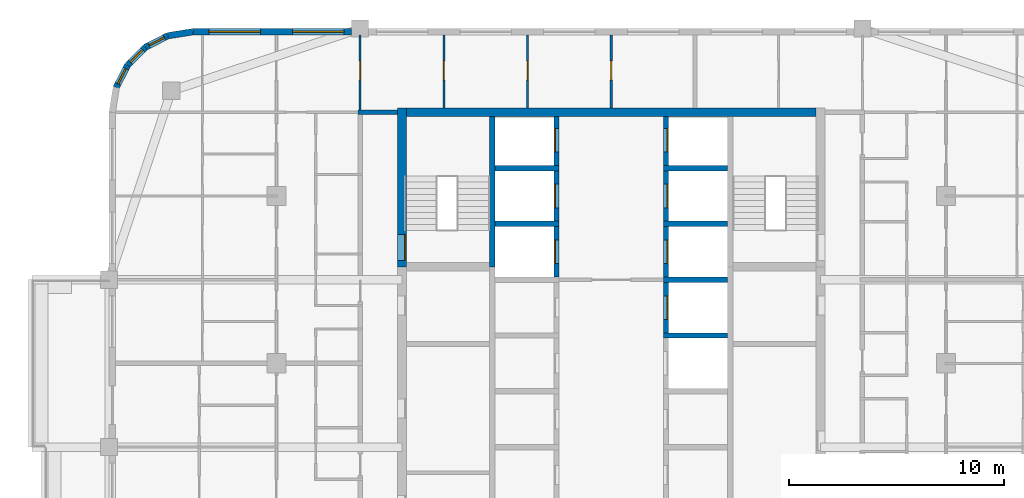
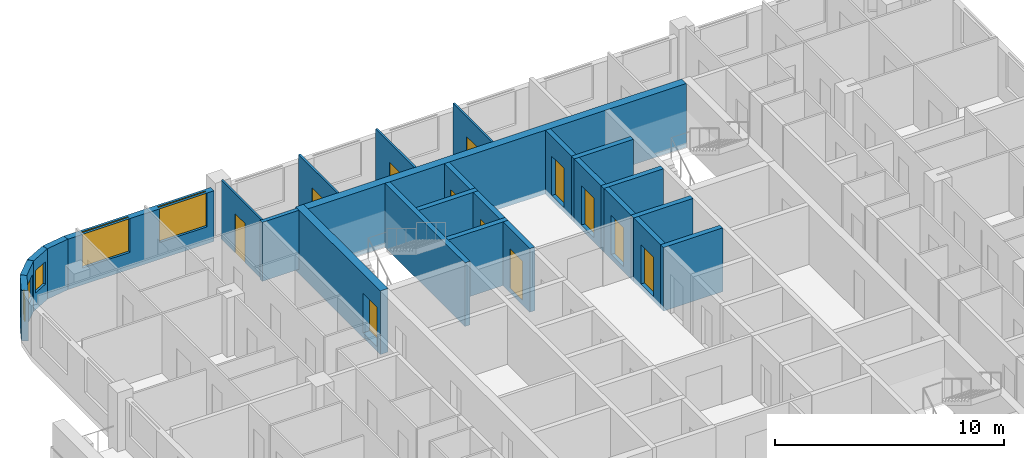
# One storey, part 10 of 16: 26 walls, 12 doors, 5 windows, 17 openings.
"""IFC4 building model written with IfcOpenShell, lengths in metres."""

from ifc_helpers import new_model, si_unit, direction, frame, frame_2d, origin, place, context, subcontext, project, spatial, rectangle, extrude, material, layer, layer_set, type_object, element, fill, save


model = new_model("IFC4")

# Units and contexts
model_context = context("Model", 3, precision=1e-05, world=origin(), true_north=direction((0.0, 1.0)))
body_context = subcontext(model_context, "Body", "Model", "MODEL_VIEW")
ifc_project = project(units=[si_unit("LENGTHUNIT", "METRE"), si_unit("AREAUNIT", "SQUARE_METRE"), si_unit("VOLUMEUNIT", "CUBIC_METRE"), si_unit("PLANEANGLEUNIT", "RADIAN"), si_unit("MASSUNIT", "GRAM", prefix="KILO")], contexts=[model_context])

# Site, building, storey
site_placement = place(None, origin())
site = spatial("IfcSite", under=ifc_project, at=site_placement, CompositionType="ELEMENT")
building_placement = place(site_placement, origin())
building = spatial("IfcBuilding", under=site, at=building_placement, Name="Ludao Terraces", CompositionType="ELEMENT")
storey_placement = place(building_placement, frame((0.0, 0.0, 224.5)))
storey = spatial("IfcBuildingStorey", under=building, at=storey_placement, Name="L61", CompositionType="ELEMENT", Elevation=224.5)

# Wall, opening, door
ifc_material_1 = material(Name="Concrete C50", Category="concrete")
ifc_layer_1 = layer(ifc_material_1, 0.39990234375)
ifc_layer_set_1 = layer_set([ifc_layer_1], Name="Core wall 400 C50")
wall_type_1 = type_object("IfcWallType", Name="Core wall 400 C50", PredefinedType="SOLIDWALL", material=ifc_layer_set_1)
wall_1_placement = place(storey_placement, frame((75.25, 77.300048828125, -0.25), z_axis=(0.0, 0.0, 1.0), x_axis=(0.0, 1.0, 0.0)))
wall_1 = element("IfcWall", 1, at=wall_1_placement, inside=storey, type_object=wall_type_1, Name="Core wall L61 outer-W-S1", PredefinedType="SOLIDWALL", context=body_context, shape_type="SweptSolid", body=[
    extrude(rectangle(XDim=7.39990234375, YDim=0.39990234375, at=frame_2d((3.699951171875, 0.0))), origin(), (0.0, 0.0, 1.0), 3.39990234375),
])
opening_1_placement = place(wall_1_placement, frame((0.300048828125, 0.0, 0.25)))
opening_1 = element("IfcOpeningElement", 2, at=opening_1_placement, cuts=wall_1, Name="Opening R22-109", PredefinedType="OPENING", context=body_context, shape_type="SweptSolid", body=[
    extrude(rectangle(XDim=1.199951171875, YDim=2.10009765625, at=frame_2d((0.60009765625, 1.050048828125))), frame((0.0, 0.2099609375, 0.0), z_axis=(0.0, -1.0, 0.0), x_axis=(1.0, 0.0, 0.0)), (0.0, 0.0, 1.0), 0.419921875),
])
ifc_material_2 = material(Name="Steel Q235", Category="steel")
door_type_1 = type_object("IfcDoorType", Name="INT Stair door 1200", OperationType="DOUBLE_DOOR_SINGLE_SWING", PredefinedType="DOOR", material=ifc_material_2)
door_1_placement = place(opening_1_placement, origin())
door_1 = element("IfcDoor", 3, at=door_1_placement, inside=storey, type_object=door_type_1, Name="DOOR 109", OperationType="DOUBLE_DOOR_SINGLE_SWING", OverallHeight=2.10009765625, OverallWidth=1.199951171875, PredefinedType="DOOR", context=body_context, shape_type="SweptSolid", body=[
    extrude(rectangle(XDim=1.199951171875, YDim=2.10009765625, at=frame_2d((0.60009765625, 1.050048828125))), frame((0.0, -0.134765625, 0.0), z_axis=(0.0, -1.0, 0.0), x_axis=(1.0, 0.0, 0.0)), (0.0, 0.0, 1.0), 0.050048828125),
])
fill(opening_1, door_1)

# Wall
wall_2_placement = place(storey_placement, frame((75.449951171875, 84.5, -0.25), z_axis=(0.0, 0.0, 1.0), x_axis=(1.0, 0.0, 0.0)))
element("IfcWall", 4, at=wall_2_placement, inside=storey, type_object=wall_type_1, Name="Core wall L61 outer-N", PredefinedType="SOLIDWALL", context=body_context, shape_type="SweptSolid", body=[
    extrude(rectangle(XDim=19.10009765625, YDim=0.39990234375, at=frame_2d((9.550048828125, 0.0))), origin(), (0.0, 0.0, 1.0), 3.39990234375),
])

# Wall, openings, windows
ifc_material_3 = material(Name="Granite cladding", Category="masonry")
ifc_layer_2 = layer(ifc_material_3, 0.0400390625, Category="stone")
ifc_material_4 = material(Name="Mineral wool")
ifc_layer_3 = layer(ifc_material_4, 0.06005859375)
ifc_material_5 = material(Name="Concrete C40", Category="concrete")
ifc_layer_4 = layer(ifc_material_5, 0.199951171875, Category="concrete")
ifc_layer_set_2 = layer_set([ifc_layer_2, ifc_layer_3, ifc_layer_4], Name="ENV Stone-clad wall 300")
wall_type_2 = type_object("IfcWallType", Name="ENV Stone-clad wall 300", PredefinedType="SOLIDWALL", material=ifc_layer_set_2)
wall_3_placement = place(storey_placement, frame((65.5, 88.25, 0.0), z_axis=(0.0, 0.0, 1.0), x_axis=(1.0, 0.0, 0.0)))
wall_3 = element("IfcWall", 5, at=wall_3_placement, inside=storey, type_object=wall_type_2, Name="EW-L61-N1", PredefinedType="SOLIDWALL", context=body_context, shape_type="SweptSolid", body=[
    extrude(rectangle(XDim=7.39990234375, YDim=0.300048828125, at=frame_2d((3.699951171875, 0.0))), origin(), (0.0, 0.0, 1.0), 2.699951171875),
])
opening_2_placement = place(wall_3_placement, frame((0.75, 0.0, 0.89990234375)))
opening_2 = element("IfcOpeningElement", 6, at=opening_2_placement, cuts=wall_3, Name="Opening W1", PredefinedType="OPENING", context=body_context, shape_type="SweptSolid", body=[
    extrude(rectangle(XDim=2.39990234375, YDim=1.800048828125, at=frame_2d((1.199951171875, 0.89990234375))), frame((0.0, 0.16015625, 0.0), z_axis=(0.0, -1.0, 0.0), x_axis=(1.0, 0.0, 0.0)), (0.0, 0.0, 1.0), 0.320068359375),
])
opening_3_placement = place(wall_3_placement, frame((4.64990234375, 0.0, 0.89990234375)))
opening_3 = element("IfcOpeningElement", 7, at=opening_3_placement, cuts=wall_3, Name="Opening W1", PredefinedType="OPENING", context=body_context, shape_type="SweptSolid", body=[
    extrude(rectangle(XDim=2.39990234375, YDim=1.800048828125, at=frame_2d((1.199951171875, 0.89990234375))), frame((0.0, 0.16015625, 0.0), z_axis=(0.0, -1.0, 0.0), x_axis=(1.0, 0.0, 0.0)), (0.0, 0.0, 1.0), 0.320068359375),
])
ifc_material_6 = material(Name="Clear glass in aluminium frame", Category="aluminium")
ifc_layer_5 = layer(ifc_material_6, 0.06005859375)
ifc_layer_set_3 = layer_set([ifc_layer_5], Name="ENV Window W1 2400x1800")
window_type_1 = type_object("IfcWindowType", Name="ENV Window W1 2400x1800", PartitioningType="DOUBLE_PANEL_VERTICAL", PredefinedType="WINDOW", material=ifc_layer_set_3)
window_1_placement = place(opening_2_placement, origin())
window_1 = element("IfcWindow", 8, at=window_1_placement, inside=storey, type_object=window_type_1, Name="W-L61-N1-1", OverallHeight=1.800048828125, OverallWidth=2.39990234375, PartitioningType="DOUBLE_PANEL_VERTICAL", PredefinedType="WINDOW", context=body_context, shape_type="SweptSolid", body=[
    extrude(rectangle(XDim=2.39990234375, YDim=1.800048828125, at=frame_2d((1.199951171875, 0.89990234375))), frame((0.0, 0.030029296875, 0.0), z_axis=(0.0, -1.0, 0.0), x_axis=(1.0, 0.0, 0.0)), (0.0, 0.0, 1.0), 0.06005859375),
])
fill(opening_2, window_1)
window_2_placement = place(opening_3_placement, origin())
window_2 = element("IfcWindow", 9, at=window_2_placement, inside=storey, type_object=window_type_1, Name="W-L61-N1-2", OverallHeight=1.800048828125, OverallWidth=2.39990234375, PartitioningType="DOUBLE_PANEL_VERTICAL", PredefinedType="WINDOW", context=body_context, shape_type="SweptSolid", body=[
    extrude(rectangle(XDim=2.39990234375, YDim=1.800048828125, at=frame_2d((1.199951171875, 0.89990234375))), frame((0.0, 0.030029296875, 0.0), z_axis=(0.0, -1.0, 0.0), x_axis=(1.0, 0.0, 0.0)), (0.0, 0.0, 1.0), 0.06005859375),
])
fill(opening_3, window_2)

# Wall
wall_4_placement = place(storey_placement, frame((65.5, 88.25, 0.0), z_axis=(0.0, 0.0, 1.0), x_axis=(-0.987678452879, -0.156496880861, 0.0)))
element("IfcWall", 10, at=wall_4_placement, inside=storey, type_object=wall_type_2, Name="EW-L61-NW1", PredefinedType="SOLIDWALL", context=body_context, shape_type="SweptSolid", body=[
    extrude(rectangle(XDim=1.173095703125, YDim=0.300048828125, at=frame_2d((0.58642578125, 0.0))), origin(), (0.0, 0.0, 1.0), 2.699951171875),
])

# Wall, opening, window
wall_5_placement = place(storey_placement, frame((64.34130859375, 88.06640625, 0.0), z_axis=(0.0, 0.0, 1.0), x_axis=(-0.890988677504, -0.454025524128, 0.0)))
wall_5 = element("IfcWall", 11, at=wall_5_placement, inside=storey, type_object=wall_type_2, Name="EW-L61-NW2", PredefinedType="SOLIDWALL", context=body_context, shape_type="SweptSolid", body=[
    extrude(rectangle(XDim=1.17333984375, YDim=0.300048828125, at=frame_2d((0.586669921875, 0.0))), origin(), (0.0, 0.0, 1.0), 2.699951171875),
])
opening_4_placement = place(wall_5_placement, frame((0.1865234375, 0.0, 0.89990234375)))
opening_4 = element("IfcOpeningElement", 12, at=opening_4_placement, cuts=wall_5, Name="Opening W3", PredefinedType="OPENING", context=body_context, shape_type="SweptSolid", body=[
    extrude(rectangle(XDim=0.800048828125, YDim=1.199951171875, at=frame_2d((0.39990234375, 0.60009765625))), frame((0.0, 0.16015625, 0.0), z_axis=(0.0, -1.0, 0.0), x_axis=(1.0, 0.0, 0.0)), (0.0, 0.0, 1.0), 0.320068359375),
])
ifc_layer_6 = layer(ifc_material_6, 0.06005859375)
ifc_layer_set_4 = layer_set([ifc_layer_6], Name="ENV Window W3 800x1200")
window_type_2 = type_object("IfcWindowType", Name="ENV Window W3 800x1200", PartitioningType="SINGLE_PANEL", PredefinedType="WINDOW", material=ifc_layer_set_4)
window_3_placement = place(opening_4_placement, origin())
window_3 = element("IfcWindow", 13, at=window_3_placement, inside=storey, type_object=window_type_2, Name="W-L61-NW2", OverallHeight=1.199951171875, OverallWidth=0.800048828125, PartitioningType="SINGLE_PANEL", PredefinedType="WINDOW", context=body_context, shape_type="SweptSolid", body=[
    extrude(rectangle(XDim=0.800048828125, YDim=1.199951171875, at=frame_2d((0.39990234375, 0.60009765625))), frame((0.0, 0.030029296875, 0.0), z_axis=(0.0, -1.0, 0.0), x_axis=(1.0, 0.0, 0.0)), (0.0, 0.0, 1.0), 0.06005859375),
])
fill(opening_4, window_3)

wall_6_placement = place(storey_placement, frame((63.2958984375, 87.53369140625, 0.0), z_axis=(0.0, 0.0, 1.0), x_axis=(-0.707106781187, -0.707106781187, 0.0)))
wall_6 = element("IfcWall", 14, at=wall_6_placement, inside=storey, type_object=wall_type_2, Name="EW-L61-NW3", PredefinedType="SOLIDWALL", context=body_context, shape_type="SweptSolid", body=[
    extrude(rectangle(XDim=1.173095703125, YDim=0.300048828125, at=frame_2d((0.58642578125, 0.0))), origin(), (0.0, 0.0, 1.0), 2.699951171875),
])
opening_5_placement = place(wall_6_placement, frame((0.1865234375, 0.0, 0.89990234375)))
opening_5 = element("IfcOpeningElement", 15, at=opening_5_placement, cuts=wall_6, Name="Opening W3", PredefinedType="OPENING", context=body_context, shape_type="SweptSolid", body=[
    extrude(rectangle(XDim=0.800048828125, YDim=1.199951171875, at=frame_2d((0.39990234375, 0.60009765625))), frame((0.0, 0.16015625, 0.0), z_axis=(0.0, -1.0, 0.0), x_axis=(1.0, 0.0, 0.0)), (0.0, 0.0, 1.0), 0.320068359375),
])
window_4_placement = place(opening_5_placement, origin())
window_4 = element("IfcWindow", 16, at=window_4_placement, inside=storey, type_object=window_type_2, Name="W-L61-NW3", OverallHeight=1.199951171875, OverallWidth=0.800048828125, PartitioningType="SINGLE_PANEL", PredefinedType="WINDOW", context=body_context, shape_type="SweptSolid", body=[
    extrude(rectangle(XDim=0.800048828125, YDim=1.199951171875, at=frame_2d((0.39990234375, 0.60009765625))), frame((0.0, 0.030029296875, 0.0), z_axis=(0.0, -1.0, 0.0), x_axis=(1.0, 0.0, 0.0)), (0.0, 0.0, 1.0), 0.06005859375),
])
fill(opening_5, window_4)

wall_7_placement = place(storey_placement, frame((62.46630859375, 86.7041015625, 0.0), z_axis=(0.0, 0.0, 1.0), x_axis=(-0.454025524128, -0.890988677504, 0.0)))
wall_7 = element("IfcWall", 17, at=wall_7_placement, inside=storey, type_object=wall_type_2, Name="EW-L61-NW4", PredefinedType="SOLIDWALL", context=body_context, shape_type="SweptSolid", body=[
    extrude(rectangle(XDim=1.17333984375, YDim=0.300048828125, at=frame_2d((0.586669921875, 0.0))), origin(), (0.0, 0.0, 1.0), 2.699951171875),
])
opening_6_placement = place(wall_7_placement, frame((0.1865234375, 0.0, 0.89990234375)))
opening_6 = element("IfcOpeningElement", 18, at=opening_6_placement, cuts=wall_7, Name="Opening W3", PredefinedType="OPENING", context=body_context, shape_type="SweptSolid", body=[
    extrude(rectangle(XDim=0.800048828125, YDim=1.199951171875, at=frame_2d((0.39990234375, 0.60009765625))), frame((0.0, 0.16015625, 0.0), z_axis=(0.0, -1.0, 0.0), x_axis=(1.0, 0.0, 0.0)), (0.0, 0.0, 1.0), 0.320068359375),
])
window_5_placement = place(opening_6_placement, origin())
window_5 = element("IfcWindow", 19, at=window_5_placement, inside=storey, type_object=window_type_2, Name="W-L61-NW4", OverallHeight=1.199951171875, OverallWidth=0.800048828125, PartitioningType="SINGLE_PANEL", PredefinedType="WINDOW", context=body_context, shape_type="SweptSolid", body=[
    extrude(rectangle(XDim=0.800048828125, YDim=1.199951171875, at=frame_2d((0.39990234375, 0.60009765625))), frame((0.0, 0.030029296875, 0.0), z_axis=(0.0, -1.0, 0.0), x_axis=(1.0, 0.0, 0.0)), (0.0, 0.0, 1.0), 0.06005859375),
])
fill(opening_6, window_5)

# Wall
ifc_material_7 = material(Name="Autoclaved aerated concrete block B06 A3.5", Category="concrete")
ifc_layer_7 = layer(ifc_material_7, 0.199951171875)
ifc_layer_set_5 = layer_set([ifc_layer_7], Name="INT Entrance wall 200")
wall_type_3 = type_object("IfcWallType", Name="INT Entrance wall 200", PredefinedType="PARTITIONING", material=ifc_layer_set_5)
wall_8_placement = place(storey_placement, frame((73.2001953125, 84.5, 0.0), z_axis=(0.0, 0.0, 1.0), x_axis=(1.0, 0.0, 0.0)))
element("IfcWall", 20, at=wall_8_placement, inside=storey, type_object=wall_type_3, Name="PW-L61-PW066", PredefinedType="PARTITIONING", context=body_context, shape_type="SweptSolid", body=[
    extrude(rectangle(XDim=1.849853515625, YDim=0.199951171875, at=frame_2d((0.9248046875, 0.0))), origin(), (0.0, 0.0, 1.0), 3.14990234375),
])

# Wall, opening, door
ifc_material_8 = material(Name="Gypsum plasterboard", Category="gypsum")
ifc_layer_8 = layer(ifc_material_8, 0.012451171875, Category="gypsum")
ifc_layer_9 = layer(ifc_material_4, 0.06005859375, Name="insulation")
ifc_layer_10 = layer(ifc_material_2, 0.014892578125, Name="stud")
ifc_layer_11 = layer(ifc_material_8, 0.012451171875, Category="gypsum")
ifc_layer_set_6 = layer_set([ifc_layer_8, ifc_layer_9, ifc_layer_10, ifc_layer_11], Name="INT Partition 100")
wall_type_4 = type_object("IfcWallType", Name="INT Partition 100", PredefinedType="PARTITIONING", material=ifc_layer_set_6)
wall_9_placement = place(storey_placement, frame((73.300048828125, 84.60009765625, 0.0), z_axis=(0.0, 0.0, 1.0), x_axis=(0.0, 1.0, 0.0)))
wall_9 = element("IfcWall", 21, at=wall_9_placement, inside=storey, type_object=wall_type_4, Name="PW-L61-PW079", PredefinedType="PARTITIONING", context=body_context, shape_type="SweptSolid", body=[
    extrude(rectangle(XDim=3.5, YDim=0.10009765625, at=frame_2d((1.75, 0.0))), origin(), (0.0, 0.0, 1.0), 3.14990234375),
])
opening_7_placement = place(wall_9_placement, frame((1.39990234375, 0.0, 0.0)))
opening_7 = element("IfcOpeningElement", 22, at=opening_7_placement, cuts=wall_9, Name="Opening R22-133", PredefinedType="OPENING", context=body_context, shape_type="SweptSolid", body=[
    extrude(rectangle(XDim=0.89990234375, YDim=2.10009765625, at=frame_2d((0.449951171875, 1.050048828125))), frame((0.0, 0.06005859375, 0.0), z_axis=(0.0, -1.0, 0.0), x_axis=(1.0, 0.0, 0.0)), (0.0, 0.0, 1.0), 0.1201171875),
])
ifc_material_9 = material(Name="Timber door leaf", Category="wood")
door_type_2 = type_object("IfcDoorType", Name="INT Room door 900", OperationType="SINGLE_SWING_LEFT", PredefinedType="DOOR", material=ifc_material_9)
door_2_placement = place(opening_7_placement, origin())
door_2 = element("IfcDoor", 23, at=door_2_placement, inside=storey, type_object=door_type_2, Name="DOOR 133", OperationType="SINGLE_SWING_LEFT", OverallHeight=2.10009765625, OverallWidth=0.89990234375, PredefinedType="DOOR", context=body_context, shape_type="SweptSolid", body=[
    extrude(rectangle(XDim=0.89990234375, YDim=2.10009765625, at=frame_2d((0.449951171875, 1.050048828125))), frame((0.0, 0.02490234375, 0.0), z_axis=(0.0, -1.0, 0.0), x_axis=(1.0, 0.0, 0.0)), (0.0, 0.0, 1.0), 0.050048828125),
])
fill(opening_7, door_2)

wall_10_placement = place(storey_placement, frame((77.199951171875, 84.7001953125, 0.0), z_axis=(0.0, 0.0, 1.0), x_axis=(0.0, 1.0, 0.0)))
wall_10 = element("IfcWall", 24, at=wall_10_placement, inside=storey, type_object=wall_type_4, Name="PW-L61-PW080", PredefinedType="PARTITIONING", context=body_context, shape_type="SweptSolid", body=[
    extrude(rectangle(XDim=3.39990234375, YDim=0.10009765625, at=frame_2d((1.699951171875, 0.0))), origin(), (0.0, 0.0, 1.0), 3.14990234375),
])
opening_8_placement = place(wall_10_placement, frame((1.2998046875, 0.0, 0.0)))
opening_8 = element("IfcOpeningElement", 25, at=opening_8_placement, cuts=wall_10, Name="Opening R22-134", PredefinedType="OPENING", context=body_context, shape_type="SweptSolid", body=[
    extrude(rectangle(XDim=0.89990234375, YDim=2.10009765625, at=frame_2d((0.449951171875, 1.050048828125))), frame((0.0, 0.06005859375, 0.0), z_axis=(0.0, -1.0, 0.0), x_axis=(1.0, 0.0, 0.0)), (0.0, 0.0, 1.0), 0.1201171875),
])
door_3_placement = place(opening_8_placement, origin())
door_3 = element("IfcDoor", 26, at=door_3_placement, inside=storey, type_object=door_type_2, Name="DOOR 134", OperationType="SINGLE_SWING_LEFT", OverallHeight=2.10009765625, OverallWidth=0.89990234375, PredefinedType="DOOR", context=body_context, shape_type="SweptSolid", body=[
    extrude(rectangle(XDim=0.89990234375, YDim=2.10009765625, at=frame_2d((0.449951171875, 1.050048828125))), frame((0.0, 0.02490234375, 0.0), z_axis=(0.0, -1.0, 0.0), x_axis=(1.0, 0.0, 0.0)), (0.0, 0.0, 1.0), 0.050048828125),
])
fill(opening_8, door_3)

wall_11_placement = place(storey_placement, frame((81.10009765625, 84.7001953125, 0.0), z_axis=(0.0, 0.0, 1.0), x_axis=(0.0, 1.0, 0.0)))
wall_11 = element("IfcWall", 27, at=wall_11_placement, inside=storey, type_object=wall_type_4, Name="PW-L61-PW081", PredefinedType="PARTITIONING", context=body_context, shape_type="SweptSolid", body=[
    extrude(rectangle(XDim=3.39990234375, YDim=0.10009765625, at=frame_2d((1.699951171875, 0.0))), origin(), (0.0, 0.0, 1.0), 3.14990234375),
])
opening_9_placement = place(wall_11_placement, frame((1.2998046875, 0.0, 0.0)))
opening_9 = element("IfcOpeningElement", 28, at=opening_9_placement, cuts=wall_11, Name="Opening R22-135", PredefinedType="OPENING", context=body_context, shape_type="SweptSolid", body=[
    extrude(rectangle(XDim=0.89990234375, YDim=2.10009765625, at=frame_2d((0.449951171875, 1.050048828125))), frame((0.0, 0.06005859375, 0.0), z_axis=(0.0, -1.0, 0.0), x_axis=(1.0, 0.0, 0.0)), (0.0, 0.0, 1.0), 0.1201171875),
])
door_4_placement = place(opening_9_placement, origin())
door_4 = element("IfcDoor", 29, at=door_4_placement, inside=storey, type_object=door_type_2, Name="DOOR 135", OperationType="SINGLE_SWING_RIGHT", OverallHeight=2.10009765625, OverallWidth=0.89990234375, PredefinedType="DOOR", context=body_context, shape_type="SweptSolid", body=[
    extrude(rectangle(XDim=0.89990234375, YDim=2.10009765625, at=frame_2d((0.449951171875, 1.050048828125))), frame((0.0, 0.02490234375, 0.0), z_axis=(0.0, -1.0, 0.0), x_axis=(1.0, 0.0, 0.0)), (0.0, 0.0, 1.0), 0.050048828125),
])
fill(opening_9, door_4)

wall_12_placement = place(storey_placement, frame((85.0, 84.7001953125, 0.0), z_axis=(0.0, 0.0, 1.0), x_axis=(0.0, 1.0, 0.0)))
wall_12 = element("IfcWall", 30, at=wall_12_placement, inside=storey, type_object=wall_type_4, Name="PW-L61-PW083", PredefinedType="PARTITIONING", context=body_context, shape_type="SweptSolid", body=[
    extrude(rectangle(XDim=3.39990234375, YDim=0.10009765625, at=frame_2d((1.699951171875, 0.0))), origin(), (0.0, 0.0, 1.0), 3.14990234375),
])
opening_10_placement = place(wall_12_placement, frame((1.2998046875, 0.0, 0.0)))
opening_10 = element("IfcOpeningElement", 31, at=opening_10_placement, cuts=wall_12, Name="Opening R22-136", PredefinedType="OPENING", context=body_context, shape_type="SweptSolid", body=[
    extrude(rectangle(XDim=0.89990234375, YDim=2.10009765625, at=frame_2d((0.449951171875, 1.050048828125))), frame((0.0, 0.06005859375, 0.0), z_axis=(0.0, -1.0, 0.0), x_axis=(1.0, 0.0, 0.0)), (0.0, 0.0, 1.0), 0.1201171875),
])
door_5_placement = place(opening_10_placement, origin())
door_5 = element("IfcDoor", 32, at=door_5_placement, inside=storey, type_object=door_type_2, Name="DOOR 136", OperationType="SINGLE_SWING_LEFT", OverallHeight=2.10009765625, OverallWidth=0.89990234375, PredefinedType="DOOR", context=body_context, shape_type="SweptSolid", body=[
    extrude(rectangle(XDim=0.89990234375, YDim=2.10009765625, at=frame_2d((0.449951171875, 1.050048828125))), frame((0.0, 0.02490234375, 0.0), z_axis=(0.0, -1.0, 0.0), x_axis=(1.0, 0.0, 0.0)), (0.0, 0.0, 1.0), 0.050048828125),
])
fill(opening_10, door_5)

# Wall
ifc_layer_12 = layer(ifc_material_1, 0.25)
ifc_layer_set_7 = layer_set([ifc_layer_12], Name="Shaft wall 250 C50")
wall_type_5 = type_object("IfcWallType", Name="Shaft wall 250 C50", PredefinedType="SOLIDWALL", material=ifc_layer_set_7)
wall_13_placement = place(storey_placement, frame((79.449951171875, 77.300048828125, -0.25), z_axis=(0.0, 0.0, 1.0), x_axis=(0.0, 1.0, 0.0)))
element("IfcWall", 33, at=wall_13_placement, inside=storey, type_object=wall_type_5, Name="Core wall L61 back-W-S1", PredefinedType="SOLIDWALL", context=body_context, shape_type="SweptSolid", body=[
    extrude(rectangle(XDim=7.0, YDim=0.25, at=frame_2d((3.5, 0.0))), origin(), (0.0, 0.0, 1.0), 3.39990234375),
])

# Wall, opening, door
wall_14_placement = place(storey_placement, frame((82.449951171875, 76.824951171875, -0.25), z_axis=(0.0, 0.0, 1.0), x_axis=(0.0, 1.0, 0.0)))
wall_14 = element("IfcWall", 34, at=wall_14_placement, inside=storey, type_object=wall_type_5, Name="Core wall L61 front-W7", PredefinedType="SOLIDWALL", context=body_context, shape_type="SweptSolid", body=[
    extrude(rectangle(XDim=2.35009765625, YDim=0.25, at=frame_2d((1.175048828125, 0.0))), origin(), (0.0, 0.0, 1.0), 3.39990234375),
])
opening_11_placement = place(wall_14_placement, frame((0.625, 0.0, 0.25)))
opening_11 = element("IfcOpeningElement", 35, at=opening_11_placement, cuts=wall_14, Name="Opening LD-FF1", PredefinedType="OPENING", context=body_context, shape_type="SweptSolid", body=[
    extrude(rectangle(XDim=1.10009765625, YDim=2.10009765625, at=frame_2d((0.550048828125, 1.050048828125))), frame((0.0, 0.135009765625, 0.0), z_axis=(0.0, -1.0, 0.0), x_axis=(1.0, 0.0, 0.0)), (0.0, 0.0, 1.0), 0.27001953125),
])
ifc_material_10 = material(Name="Stainless steel 304", Category="steel")
door_type_3 = type_object("IfcDoorType", Name="INT Lift landing door 1100", OperationType="SLIDING_TO_LEFT", PredefinedType="DOOR", material=ifc_material_10)
door_6_placement = place(opening_11_placement, origin())
door_6 = element("IfcDoor", 36, at=door_6_placement, inside=storey, type_object=door_type_3, Name="LANDING DOOR FF1 L61", OperationType="SLIDING_TO_LEFT", OverallHeight=2.10009765625, OverallWidth=1.10009765625, PredefinedType="DOOR", context=body_context, shape_type="SweptSolid", body=[
    extrude(rectangle(XDim=1.10009765625, YDim=2.10009765625, at=frame_2d((0.550048828125, 1.050048828125))), frame((0.0, 0.10986328125, 0.0), z_axis=(0.0, -1.0, 0.0), x_axis=(1.0, 0.0, 0.0)), (0.0, 0.0, 1.0), 0.050048828125),
])
fill(opening_11, door_6)

# Wall
wall_15_placement = place(storey_placement, frame((79.574951171875, 79.300048828125, -0.25), z_axis=(0.0, 0.0, 1.0), x_axis=(1.0, 0.0, 0.0)))
element("IfcWall", 37, at=wall_15_placement, inside=storey, type_object=wall_type_5, Name="Core wall L61 div-W8", PredefinedType="SOLIDWALL", context=body_context, shape_type="SweptSolid", body=[
    extrude(rectangle(XDim=3.0, YDim=0.25, at=frame_2d((1.5, 0.0))), origin(), (0.0, 0.0, 1.0), 3.39990234375),
])

# Wall, opening, door
wall_16_placement = place(storey_placement, frame((82.449951171875, 79.425048828125, -0.25), z_axis=(0.0, 0.0, 1.0), x_axis=(0.0, 1.0, 0.0)))
wall_16 = element("IfcWall", 38, at=wall_16_placement, inside=storey, type_object=wall_type_5, Name="Core wall L61 front-W8", PredefinedType="SOLIDWALL", context=body_context, shape_type="SweptSolid", body=[
    extrude(rectangle(XDim=2.349853515625, YDim=0.25, at=frame_2d((1.1748046875, 0.0))), origin(), (0.0, 0.0, 1.0), 3.39990234375),
])
opening_12_placement = place(wall_16_placement, frame((0.625, 0.0, 0.25)))
opening_12 = element("IfcOpeningElement", 39, at=opening_12_placement, cuts=wall_16, Name="Opening LD-FF2", PredefinedType="OPENING", context=body_context, shape_type="SweptSolid", body=[
    extrude(rectangle(XDim=1.10009765625, YDim=2.10009765625, at=frame_2d((0.550048828125, 1.050048828125))), frame((0.0, 0.135009765625, 0.0), z_axis=(0.0, -1.0, 0.0), x_axis=(1.0, 0.0, 0.0)), (0.0, 0.0, 1.0), 0.27001953125),
])
door_7_placement = place(opening_12_placement, origin())
door_7 = element("IfcDoor", 40, at=door_7_placement, inside=storey, type_object=door_type_3, Name="LANDING DOOR FF2 L61", OperationType="SLIDING_TO_LEFT", OverallHeight=2.10009765625, OverallWidth=1.10009765625, PredefinedType="DOOR", context=body_context, shape_type="SweptSolid", body=[
    extrude(rectangle(XDim=1.10009765625, YDim=2.10009765625, at=frame_2d((0.550048828125, 1.050048828125))), frame((0.0, 0.10986328125, 0.0), z_axis=(0.0, -1.0, 0.0), x_axis=(1.0, 0.0, 0.0)), (0.0, 0.0, 1.0), 0.050048828125),
])
fill(opening_12, door_7)

# Wall
wall_17_placement = place(storey_placement, frame((79.574951171875, 81.89990234375, -0.25), z_axis=(0.0, 0.0, 1.0), x_axis=(1.0, 0.0, 0.0)))
element("IfcWall", 41, at=wall_17_placement, inside=storey, type_object=wall_type_5, Name="Core wall L61 div-W9", PredefinedType="SOLIDWALL", context=body_context, shape_type="SweptSolid", body=[
    extrude(rectangle(XDim=3.0, YDim=0.25, at=frame_2d((1.5, 0.0))), origin(), (0.0, 0.0, 1.0), 3.39990234375),
])

# Wall, opening, door
wall_18_placement = place(storey_placement, frame((82.449951171875, 82.02490234375, -0.25), z_axis=(0.0, 0.0, 1.0), x_axis=(0.0, 1.0, 0.0)))
wall_18 = element("IfcWall", 42, at=wall_18_placement, inside=storey, type_object=wall_type_5, Name="Core wall L61 front-W9", PredefinedType="SOLIDWALL", context=body_context, shape_type="SweptSolid", body=[
    extrude(rectangle(XDim=2.275146484375, YDim=0.25, at=frame_2d((1.1376953125, 0.0))), origin(), (0.0, 0.0, 1.0), 3.39990234375),
])
opening_13_placement = place(wall_18_placement, frame((0.625, 0.0, 0.25)))
opening_13 = element("IfcOpeningElement", 43, at=opening_13_placement, cuts=wall_18, Name="Opening LD-LB6", PredefinedType="OPENING", context=body_context, shape_type="SweptSolid", body=[
    extrude(rectangle(XDim=1.10009765625, YDim=2.10009765625, at=frame_2d((0.550048828125, 1.050048828125))), frame((0.0, 0.135009765625, 0.0), z_axis=(0.0, -1.0, 0.0), x_axis=(1.0, 0.0, 0.0)), (0.0, 0.0, 1.0), 0.27001953125),
])
door_8_placement = place(opening_13_placement, origin())
door_8 = element("IfcDoor", 44, at=door_8_placement, inside=storey, type_object=door_type_3, Name="LANDING DOOR LB6 L61", OperationType="SLIDING_TO_RIGHT", OverallHeight=2.10009765625, OverallWidth=1.10009765625, PredefinedType="DOOR", context=body_context, shape_type="SweptSolid", body=[
    extrude(rectangle(XDim=1.10009765625, YDim=2.10009765625, at=frame_2d((0.550048828125, 1.050048828125))), frame((0.0, 0.10986328125, 0.0), z_axis=(0.0, -1.0, 0.0), x_axis=(1.0, 0.0, 0.0)), (0.0, 0.0, 1.0), 0.050048828125),
])
fill(opening_13, door_8)

# Wall
wall_19_placement = place(storey_placement, frame((87.425048828125, 74.10009765625, -0.25), z_axis=(0.0, 0.0, 1.0), x_axis=(1.0, 0.0, 0.0)))
element("IfcWall", 45, at=wall_19_placement, inside=storey, type_object=wall_type_5, Name="Core wall L61 div-E6", PredefinedType="SOLIDWALL", context=body_context, shape_type="SweptSolid", body=[
    extrude(rectangle(XDim=3.0, YDim=0.25, at=frame_2d((1.5, 0.0))), origin(), (0.0, 0.0, 1.0), 3.39990234375),
])

# Wall, opening, door
wall_20_placement = place(storey_placement, frame((87.550048828125, 74.22509765625, -0.25), z_axis=(0.0, 0.0, 1.0), x_axis=(0.0, 1.0, 0.0)))
wall_20 = element("IfcWall", 46, at=wall_20_placement, inside=storey, type_object=wall_type_5, Name="Core wall L61 front-E6", PredefinedType="SOLIDWALL", context=body_context, shape_type="SweptSolid", body=[
    extrude(rectangle(XDim=2.349853515625, YDim=0.25, at=frame_2d((1.1748046875, 0.0))), origin(), (0.0, 0.0, 1.0), 3.39990234375),
])
opening_14_placement = place(wall_20_placement, frame((0.625, 0.0, 0.25)))
opening_14 = element("IfcOpeningElement", 47, at=opening_14_placement, cuts=wall_20, Name="Opening LD-LB2", PredefinedType="OPENING", context=body_context, shape_type="SweptSolid", body=[
    extrude(rectangle(XDim=1.10009765625, YDim=2.10009765625, at=frame_2d((0.550048828125, 1.050048828125))), frame((0.0, 0.135009765625, 0.0), z_axis=(0.0, -1.0, 0.0), x_axis=(1.0, 0.0, 0.0)), (0.0, 0.0, 1.0), 0.27001953125),
])
door_9_placement = place(opening_14_placement, origin())
door_9 = element("IfcDoor", 48, at=door_9_placement, inside=storey, type_object=door_type_3, Name="LANDING DOOR LB2 L61", OperationType="SLIDING_TO_LEFT", OverallHeight=2.10009765625, OverallWidth=1.10009765625, PredefinedType="DOOR", context=body_context, shape_type="SweptSolid", body=[
    extrude(rectangle(XDim=1.10009765625, YDim=2.10009765625, at=frame_2d((0.550048828125, 1.050048828125))), frame((0.0, -0.06005859375, 0.0), z_axis=(0.0, -1.0, 0.0), x_axis=(1.0, 0.0, 0.0)), (0.0, 0.0, 1.0), 0.050048828125),
])
fill(opening_14, door_9)

# Wall
wall_21_placement = place(storey_placement, frame((87.425048828125, 76.699951171875, -0.25), z_axis=(0.0, 0.0, 1.0), x_axis=(1.0, 0.0, 0.0)))
element("IfcWall", 49, at=wall_21_placement, inside=storey, type_object=wall_type_5, Name="Core wall L61 div-E7", PredefinedType="SOLIDWALL", context=body_context, shape_type="SweptSolid", body=[
    extrude(rectangle(XDim=3.0, YDim=0.25, at=frame_2d((1.5, 0.0))), origin(), (0.0, 0.0, 1.0), 3.39990234375),
])

# Wall, opening, door
wall_22_placement = place(storey_placement, frame((87.550048828125, 76.824951171875, -0.25), z_axis=(0.0, 0.0, 1.0), x_axis=(0.0, 1.0, 0.0)))
wall_22 = element("IfcWall", 50, at=wall_22_placement, inside=storey, type_object=wall_type_5, Name="Core wall L61 front-E7", PredefinedType="SOLIDWALL", context=body_context, shape_type="SweptSolid", body=[
    extrude(rectangle(XDim=2.35009765625, YDim=0.25, at=frame_2d((1.175048828125, 0.0))), origin(), (0.0, 0.0, 1.0), 3.39990234375),
])
opening_15_placement = place(wall_22_placement, frame((0.625, 0.0, 0.25)))
opening_15 = element("IfcOpeningElement", 51, at=opening_15_placement, cuts=wall_22, Name="Opening LD-LB3", PredefinedType="OPENING", context=body_context, shape_type="SweptSolid", body=[
    extrude(rectangle(XDim=1.10009765625, YDim=2.10009765625, at=frame_2d((0.550048828125, 1.050048828125))), frame((0.0, 0.135009765625, 0.0), z_axis=(0.0, -1.0, 0.0), x_axis=(1.0, 0.0, 0.0)), (0.0, 0.0, 1.0), 0.27001953125),
])
door_10_placement = place(opening_15_placement, origin())
door_10 = element("IfcDoor", 52, at=door_10_placement, inside=storey, type_object=door_type_3, Name="LANDING DOOR LB3 L61", OperationType="SLIDING_TO_LEFT", OverallHeight=2.10009765625, OverallWidth=1.10009765625, PredefinedType="DOOR", context=body_context, shape_type="SweptSolid", body=[
    extrude(rectangle(XDim=1.10009765625, YDim=2.10009765625, at=frame_2d((0.550048828125, 1.050048828125))), frame((0.0, -0.06005859375, 0.0), z_axis=(0.0, -1.0, 0.0), x_axis=(1.0, 0.0, 0.0)), (0.0, 0.0, 1.0), 0.050048828125),
])
fill(opening_15, door_10)

# Wall
wall_23_placement = place(storey_placement, frame((87.425048828125, 79.300048828125, -0.25), z_axis=(0.0, 0.0, 1.0), x_axis=(1.0, 0.0, 0.0)))
element("IfcWall", 53, at=wall_23_placement, inside=storey, type_object=wall_type_5, Name="Core wall L61 div-E8", PredefinedType="SOLIDWALL", context=body_context, shape_type="SweptSolid", body=[
    extrude(rectangle(XDim=3.0, YDim=0.25, at=frame_2d((1.5, 0.0))), origin(), (0.0, 0.0, 1.0), 3.39990234375),
])

# Wall, opening, door
wall_24_placement = place(storey_placement, frame((87.550048828125, 79.425048828125, -0.25), z_axis=(0.0, 0.0, 1.0), x_axis=(0.0, 1.0, 0.0)))
wall_24 = element("IfcWall", 54, at=wall_24_placement, inside=storey, type_object=wall_type_5, Name="Core wall L61 front-E8", PredefinedType="SOLIDWALL", context=body_context, shape_type="SweptSolid", body=[
    extrude(rectangle(XDim=2.349853515625, YDim=0.25, at=frame_2d((1.1748046875, 0.0))), origin(), (0.0, 0.0, 1.0), 3.39990234375),
])
opening_16_placement = place(wall_24_placement, frame((0.625, 0.0, 0.25)))
opening_16 = element("IfcOpeningElement", 55, at=opening_16_placement, cuts=wall_24, Name="Opening LD-LB4", PredefinedType="OPENING", context=body_context, shape_type="SweptSolid", body=[
    extrude(rectangle(XDim=1.10009765625, YDim=2.10009765625, at=frame_2d((0.550048828125, 1.050048828125))), frame((0.0, 0.135009765625, 0.0), z_axis=(0.0, -1.0, 0.0), x_axis=(1.0, 0.0, 0.0)), (0.0, 0.0, 1.0), 0.27001953125),
])
door_11_placement = place(opening_16_placement, origin())
door_11 = element("IfcDoor", 56, at=door_11_placement, inside=storey, type_object=door_type_3, Name="LANDING DOOR LB4 L61", OperationType="SLIDING_TO_RIGHT", OverallHeight=2.10009765625, OverallWidth=1.10009765625, PredefinedType="DOOR", context=body_context, shape_type="SweptSolid", body=[
    extrude(rectangle(XDim=1.10009765625, YDim=2.10009765625, at=frame_2d((0.550048828125, 1.050048828125))), frame((0.0, -0.06005859375, 0.0), z_axis=(0.0, -1.0, 0.0), x_axis=(1.0, 0.0, 0.0)), (0.0, 0.0, 1.0), 0.050048828125),
])
fill(opening_16, door_11)

# Wall
wall_25_placement = place(storey_placement, frame((87.425048828125, 81.89990234375, -0.25), z_axis=(0.0, 0.0, 1.0), x_axis=(1.0, 0.0, 0.0)))
element("IfcWall", 57, at=wall_25_placement, inside=storey, type_object=wall_type_5, Name="Core wall L61 div-E9", PredefinedType="SOLIDWALL", context=body_context, shape_type="SweptSolid", body=[
    extrude(rectangle(XDim=3.0, YDim=0.25, at=frame_2d((1.5, 0.0))), origin(), (0.0, 0.0, 1.0), 3.39990234375),
])

# Wall, opening, door
wall_26_placement = place(storey_placement, frame((87.550048828125, 82.02490234375, -0.25), z_axis=(0.0, 0.0, 1.0), x_axis=(0.0, 1.0, 0.0)))
wall_26 = element("IfcWall", 58, at=wall_26_placement, inside=storey, type_object=wall_type_5, Name="Core wall L61 front-E9", PredefinedType="SOLIDWALL", context=body_context, shape_type="SweptSolid", body=[
    extrude(rectangle(XDim=2.275146484375, YDim=0.25, at=frame_2d((1.1376953125, 0.0))), origin(), (0.0, 0.0, 1.0), 3.39990234375),
])
opening_17_placement = place(wall_26_placement, frame((0.625, 0.0, 0.25)))
opening_17 = element("IfcOpeningElement", 59, at=opening_17_placement, cuts=wall_26, Name="Opening LD-LB5", PredefinedType="OPENING", context=body_context, shape_type="SweptSolid", body=[
    extrude(rectangle(XDim=1.10009765625, YDim=2.10009765625, at=frame_2d((0.550048828125, 1.050048828125))), frame((0.0, 0.135009765625, 0.0), z_axis=(0.0, -1.0, 0.0), x_axis=(1.0, 0.0, 0.0)), (0.0, 0.0, 1.0), 0.27001953125),
])
door_12_placement = place(opening_17_placement, origin())
door_12 = element("IfcDoor", 60, at=door_12_placement, inside=storey, type_object=door_type_3, Name="LANDING DOOR LB5 L61", OperationType="SLIDING_TO_RIGHT", OverallHeight=2.10009765625, OverallWidth=1.10009765625, PredefinedType="DOOR", context=body_context, shape_type="SweptSolid", body=[
    extrude(rectangle(XDim=1.10009765625, YDim=2.10009765625, at=frame_2d((0.550048828125, 1.050048828125))), frame((0.0, -0.06005859375, 0.0), z_axis=(0.0, -1.0, 0.0), x_axis=(1.0, 0.0, 0.0)), (0.0, 0.0, 1.0), 0.050048828125),
])
fill(opening_17, door_12)

save(model, "model.ifc")
